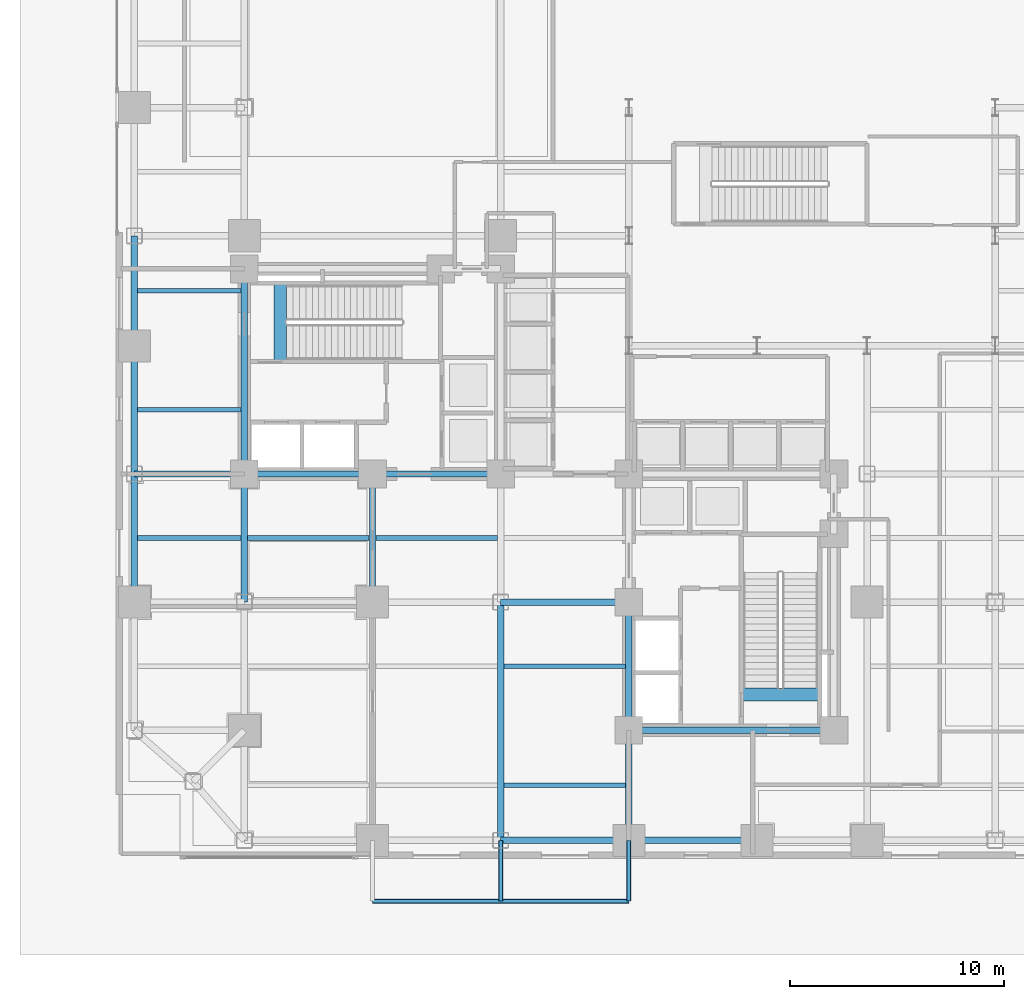
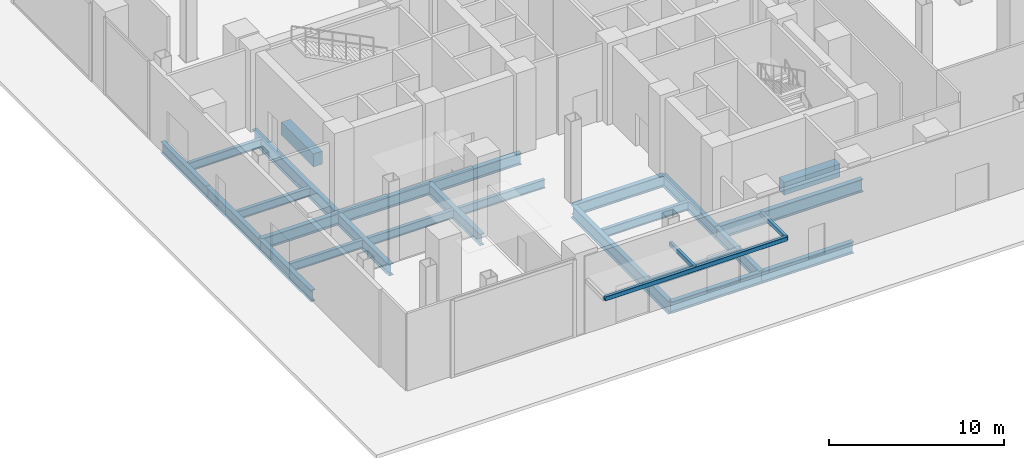
# One storey, part 4 of 27: 28 beams.
"""IFC4 building model written with IfcOpenShell, lengths in metres."""

from ifc_helpers import new_model, si_unit, direction, frame, origin, origin_2d, place, context, subcontext, project, spatial, rectangle, hollow_rectangle, i_section, extrude, material, material_profile, profile_set, type_object, element, save


model = new_model("IFC4")

# Units and contexts
model_context = context("Model", 3, precision=1e-05, world=origin(), true_north=direction((0.0, 1.0)))
body_context = subcontext(model_context, "Body", "Model", "MODEL_VIEW")
ifc_project = project(units=[si_unit("LENGTHUNIT", "METRE"), si_unit("AREAUNIT", "SQUARE_METRE"), si_unit("VOLUMEUNIT", "CUBIC_METRE"), si_unit("PLANEANGLEUNIT", "RADIAN"), si_unit("MASSUNIT", "GRAM", prefix="KILO"), si_unit("THERMODYNAMICTEMPERATUREUNIT", "KELVIN"), si_unit("POWERUNIT", "WATT")], contexts=[model_context])

# Site, building, storey
site_placement = place(None, origin())
site = spatial("IfcSite", under=ifc_project, at=site_placement, CompositionType="ELEMENT")
building_placement = place(site_placement, origin())
building = spatial("IfcBuilding", under=site, at=building_placement, Name="Svarakhadi Broadcast Tower", CompositionType="ELEMENT")
storey_placement = place(building_placement, origin())
storey = spatial("IfcBuildingStorey", under=building, at=storey_placement, Name="L00", CompositionType="ELEMENT", Elevation=0.0)

# Beams
ifc_material_1 = material(Name="Steel S355J2 (IS 2062 E350C)", Category="steel")
ifc_material_profile_1 = material_profile(ifc_material_1, i_section(OverallWidth=0.219970703125, OverallDepth=0.60009765625, WebThickness=0.011962890625, FlangeThickness=0.01904296875, FilletRadius=0.02392578125, at=origin_2d()), Name="NPB 600x220x122")
ifc_profile_set_1 = profile_set([ifc_material_profile_1], Name="Steel S355J2 (IS 2062 E350C)")
beam_type_1 = type_object("IfcBeamType", Name="Beam_NPB600", PredefinedType="BEAM", material=ifc_profile_set_1)
for number, where, z_axis, x_axis, name in (
    (1, (1.010009765625, 15.0, -0.64990234375), (1.0, 0.0, 0.0), (0.0, 1.0, 0.0), "L00 Secondary Composite Beam SB002"),
    (2, (1.010009765625, 21.0, -0.64990234375), (1.0, 0.0, 0.0), (0.0, 1.0, 0.0), "L00 Secondary Composite Beam SB003"),
    (3, (1.010009765625, 26.574951171875, -0.64990234375), (1.0, 0.0, 0.0), (0.0, 1.0, 0.0), "L00 Secondary Composite Beam SB004"),
):
    element("IfcBeam", number, at=place(storey_placement, frame(where, z_axis=z_axis, x_axis=x_axis)), inside=storey, type_object=beam_type_1, Name=name, PredefinedType="BEAM", context=body_context, shape_type="SweptSolid", body=[
        extrude(i_section(OverallWidth=0.219970703125, OverallDepth=0.60009765625, WebThickness=0.011962890625, FlangeThickness=0.01904296875, FilletRadius=0.02392578125, at=origin_2d()), origin(), (0.0, 0.0, 1.0), 4.830078125),
    ])
for number, where, z_axis, x_axis, name in (
    (4, (6.159912109375, 15.0, -0.64990234375), (1.0, 0.0, 0.0), (0.0, 1.0, 0.0), "L00 Secondary Composite Beam SB009"),
    (5, (12.159912109375, 15.0, -0.64990234375), (1.0, 0.0, 0.0), (0.0, 1.0, 0.0), "L00 Secondary Composite Beam SB012"),
    (6, (18.159912109375, 3.425048828125, -0.64990234375), (1.0, 0.0, 0.0), (0.0, 1.0, 0.0), "L00 Secondary Composite Beam SB013"),
    (7, (18.159912109375, 9.0, -0.64990234375), (1.0, 0.0, 0.0), (0.0, 1.0, 0.0), "L00 Secondary Composite Beam SB014"),
):
    element("IfcBeam", number, at=place(storey_placement, frame(where, z_axis=z_axis, x_axis=x_axis)), inside=storey, type_object=beam_type_1, Name=name, PredefinedType="BEAM", context=body_context, shape_type="SweptSolid", body=[
        extrude(i_section(OverallWidth=0.219970703125, OverallDepth=0.60009765625, WebThickness=0.011962890625, FlangeThickness=0.01904296875, FilletRadius=0.02392578125, at=origin_2d()), origin(), (0.0, 0.0, 1.0), 5.68017578125),
    ])
ifc_material_2 = material(Name="Concrete C50/60 (IS 456 M60)", Category="concrete")
ifc_material_profile_2 = material_profile(ifc_material_2, rectangle(XDim=0.60009765625, YDim=0.89990234375, at=origin_2d()), Name="RC 600x900")
ifc_profile_set_2 = profile_set([ifc_material_profile_2], Name="Concrete C50/60 (IS 456 M60)")
beam_type_2 = type_object("IfcBeamType", Name="Coupling_RC600", PredefinedType="USERDEFINED", material=ifc_profile_set_2)
for number, where, z_axis, x_axis, name in (
    (8, (7.679931640625, 23.260009765625, -0.449951171875), (0.0, 1.0, 0.0), (-1.0, 0.0, 0.0), "L00 Stair ST-01 Landing Throat Trimmer Beam CB-01"),
    (9, (29.260009765625, 7.679931640625, -0.449951171875), (1.0, 0.0, 0.0), (0.0, 1.0, 0.0), "L00 Stair ST-02 Landing Throat Trimmer Beam CB-01"),
):
    element("IfcBeam", number, at=place(storey_placement, frame(where, z_axis=z_axis, x_axis=x_axis)), inside=storey, type_object=beam_type_2, Name=name, ObjectType="GIRDER", PredefinedType="USERDEFINED", context=body_context, shape_type="SweptSolid", body=[
        extrude(rectangle(XDim=0.60009765625, YDim=0.89990234375, at=origin_2d()), origin(), (0.0, 0.0, 1.0), 3.679931640625),
    ])
ifc_material_profile_3 = material_profile(ifc_material_1, i_section(OverallWidth=0.300048828125, OverallDepth=0.800048828125, WebThickness=0.017578125, FlangeThickness=0.032958984375, FilletRadius=0.030029296875, at=origin_2d()), Name="WPB 800x300x262")
ifc_profile_set_3 = profile_set([ifc_material_profile_3], Name="Steel S355J2 (IS 2062 E350C)")
beam_type_3 = type_object("IfcBeamType", Name="Girder_WPB800", PredefinedType="USERDEFINED", material=ifc_profile_set_3)
for number, where, z_axis, x_axis, name in (
    (10, (18.0, 0.85009765625, -0.75), (1.0, 0.0, 0.0), (0.0, 1.0, 0.0), "L00 Primary E-W Girder G006"),
    (11, (24.0, 0.85009765625, -0.75), (1.0, 0.0, 0.0), (0.0, 1.0, 0.0), "L00 Primary E-W Girder G007"),
    (12, (18.0, 12.0, -0.75), (1.0, 0.0, 0.0), (0.0, 1.0, 0.0), "L00 Primary E-W Girder G017"),
):
    element("IfcBeam", number, at=place(storey_placement, frame(where, z_axis=z_axis, x_axis=x_axis)), inside=storey, type_object=beam_type_3, Name=name, ObjectType="GIRDER", PredefinedType="USERDEFINED", context=body_context, shape_type="SweptSolid", body=[
        extrude(i_section(OverallWidth=0.300048828125, OverallDepth=0.800048828125, WebThickness=0.017578125, FlangeThickness=0.032958984375, FilletRadius=0.030029296875, at=origin_2d()), origin(), (0.0, 0.0, 1.0), 6.0),
    ])
beam_1_placement = place(storey_placement, frame((0.85009765625, 18.0, -0.75), z_axis=(1.0, 0.0, 0.0), x_axis=(0.0, 1.0, 0.0)))
element("IfcBeam", 13, at=beam_1_placement, inside=storey, type_object=beam_type_3, Name="L00 Primary E-W Girder G020", ObjectType="GIRDER", PredefinedType="USERDEFINED", context=body_context, shape_type="SweptSolid", body=[
    extrude(i_section(OverallWidth=0.300048828125, OverallDepth=0.800048828125, WebThickness=0.017578125, FlangeThickness=0.032958984375, FilletRadius=0.030029296875, at=origin_2d()), origin(), (0.0, 0.0, 1.0), 5.14990234375),
])
for number, where, z_axis, x_axis, name in (
    (14, (6.0, 18.0, -0.75), (1.0, 0.0, 0.0), (0.0, 1.0, 0.0), "L00 Primary E-W Girder G021"),
    (15, (12.0, 18.0, -0.75), (1.0, 0.0, 0.0), (0.0, 1.0, 0.0), "L00 Primary E-W Girder G022"),
    (16, (0.85009765625, 12.0, -0.75), (0.0, 1.0, 0.0), (-1.0, 0.0, 0.0), "L00 Primary N-S Girder G045"),
    (17, (0.85009765625, 18.0, -0.75), (0.0, 1.0, 0.0), (-1.0, 0.0, 0.0), "L00 Primary N-S Girder G046"),
):
    element("IfcBeam", number, at=place(storey_placement, frame(where, z_axis=z_axis, x_axis=x_axis)), inside=storey, type_object=beam_type_3, Name=name, ObjectType="GIRDER", PredefinedType="USERDEFINED", context=body_context, shape_type="SweptSolid", body=[
        extrude(i_section(OverallWidth=0.300048828125, OverallDepth=0.800048828125, WebThickness=0.017578125, FlangeThickness=0.032958984375, FilletRadius=0.030029296875, at=origin_2d()), origin(), (0.0, 0.0, 1.0), 6.0),
    ])
beam_2_placement = place(storey_placement, frame((0.85009765625, 24.0, -0.75), z_axis=(0.0, 1.0, 0.0), x_axis=(-1.0, 0.0, 0.0)))
element("IfcBeam", 18, at=beam_2_placement, inside=storey, type_object=beam_type_3, Name="L00 Primary N-S Girder G047", ObjectType="GIRDER", PredefinedType="USERDEFINED", context=body_context, shape_type="SweptSolid", body=[
    extrude(i_section(OverallWidth=0.300048828125, OverallDepth=0.800048828125, WebThickness=0.017578125, FlangeThickness=0.032958984375, FilletRadius=0.030029296875, at=origin_2d()), origin(), (0.0, 0.0, 1.0), 5.14990234375),
])
for number, where, z_axis, x_axis, name in (
    (19, (6.0, 12.0, -0.75), (0.0, 1.0, 0.0), (-1.0, 0.0, 0.0), "L00 Primary N-S Girder G052"),
    (20, (12.0, 12.0, -0.75), (0.0, 1.0, 0.0), (-1.0, 0.0, 0.0), "L00 Primary N-S Girder G058"),
):
    element("IfcBeam", number, at=place(storey_placement, frame(where, z_axis=z_axis, x_axis=x_axis)), inside=storey, type_object=beam_type_3, Name=name, ObjectType="GIRDER", PredefinedType="USERDEFINED", context=body_context, shape_type="SweptSolid", body=[
        extrude(i_section(OverallWidth=0.300048828125, OverallDepth=0.800048828125, WebThickness=0.017578125, FlangeThickness=0.032958984375, FilletRadius=0.030029296875, at=origin_2d()), origin(), (0.0, 0.0, 1.0), 6.0),
    ])
beam_3_placement = place(storey_placement, frame((24.0, 0.85009765625, -0.75), z_axis=(0.0, 1.0, 0.0), x_axis=(-1.0, 0.0, 0.0)))
element("IfcBeam", 21, at=beam_3_placement, inside=storey, type_object=beam_type_3, Name="L00 Primary N-S Girder G064", ObjectType="GIRDER", PredefinedType="USERDEFINED", context=body_context, shape_type="SweptSolid", body=[
    extrude(i_section(OverallWidth=0.300048828125, OverallDepth=0.800048828125, WebThickness=0.017578125, FlangeThickness=0.032958984375, FilletRadius=0.030029296875, at=origin_2d()), origin(), (0.0, 0.0, 1.0), 5.14990234375),
])
beam_4_placement = place(storey_placement, frame((24.0, 6.0, -0.75), z_axis=(0.0, 1.0, 0.0), x_axis=(-1.0, 0.0, 0.0)))
element("IfcBeam", 22, at=beam_4_placement, inside=storey, type_object=beam_type_3, Name="L00 Primary N-S Girder G065", ObjectType="GIRDER", PredefinedType="USERDEFINED", context=body_context, shape_type="SweptSolid", body=[
    extrude(i_section(OverallWidth=0.300048828125, OverallDepth=0.800048828125, WebThickness=0.017578125, FlangeThickness=0.032958984375, FilletRadius=0.030029296875, at=origin_2d()), origin(), (0.0, 0.0, 1.0), 6.0),
])
ifc_material_3 = material(Name="Steel S460ML (IS 2062 E450BR)", Category="steel")
ifc_material_profile_4 = material_profile(ifc_material_3, i_section(OverallWidth=0.300048828125, OverallDepth=0.89990234375, WebThickness=0.0185546875, FlangeThickness=0.034912109375, FilletRadius=0.030029296875, at=origin_2d()), Name="WPB 900x300x291")
ifc_profile_set_4 = profile_set([ifc_material_profile_4], Name="Steel S460ML (IS 2062 E450BR)")
beam_type_4 = type_object("IfcBeamType", Name="Girder_WPB900", PredefinedType="USERDEFINED", material=ifc_profile_set_4)
for number, where, z_axis, x_axis, name in (
    (23, (24.0, 6.0, -0.800048828125), (1.0, 0.0, 0.0), (0.0, 1.0, 0.0), "L00 Primary E-W Girder G013"),
    (24, (6.0, 18.0, -0.800048828125), (0.0, 1.0, 0.0), (-1.0, 0.0, 0.0), "L00 Primary N-S Girder G053"),
):
    element("IfcBeam", number, at=place(storey_placement, frame(where, z_axis=z_axis, x_axis=x_axis)), inside=storey, type_object=beam_type_4, Name=name, ObjectType="GIRDER", PredefinedType="USERDEFINED", context=body_context, shape_type="SweptSolid", body=[
        extrude(i_section(OverallWidth=0.300048828125, OverallDepth=0.89990234375, WebThickness=0.0185546875, FlangeThickness=0.034912109375, FilletRadius=0.030029296875, at=origin_2d()), origin(), (0.0, 0.0, 1.0), 9.60009765625),
    ])
beam_5_placement = place(storey_placement, frame((18.0, 0.85009765625, -0.800048828125), z_axis=(0.0, 1.0, 0.0), x_axis=(-1.0, 0.0, 0.0)))
element("IfcBeam", 25, at=beam_5_placement, inside=storey, type_object=beam_type_4, Name="L00 Primary N-S Girder G059", ObjectType="GIRDER", PredefinedType="USERDEFINED", context=body_context, shape_type="SweptSolid", body=[
    extrude(i_section(OverallWidth=0.300048828125, OverallDepth=0.89990234375, WebThickness=0.0185546875, FlangeThickness=0.034912109375, FilletRadius=0.030029296875, at=origin_2d()), origin(), (0.0, 0.0, 1.0), 11.14990234375),
])
ifc_material_profile_5 = material_profile(ifc_material_3, hollow_rectangle(XDim=0.199951171875, YDim=0.300048828125, WallThickness=0.012451171875, InnerFilletRadius=0.012451171875, OuterFilletRadius=0.02490234375, at=origin_2d()), Name="RHS 300x200x12.5")
ifc_profile_set_5 = profile_set([ifc_material_profile_5], Name="Steel S460ML (IS 2062 E450BR)")
beam_type_5 = type_object("IfcBeamType", Name="Spandrel_RHS300", PredefinedType="SPANDREL", material=ifc_profile_set_5)
for number, where, z_axis, x_axis, name in (
    (26, (18.0, 0.85009765625, 3.64990234375), (0.0, -1.0, 0.0), (1.0, 0.0, 0.0), "L00 Entrance Canopy Cantilever Bracket Beam 2"),
    (27, (24.0, 0.85009765625, 3.64990234375), (0.0, -1.0, 0.0), (1.0, 0.0, 0.0), "L00 Entrance Canopy Cantilever Bracket Beam 3"),
):
    element("IfcBeam", number, at=place(storey_placement, frame(where, z_axis=z_axis, x_axis=x_axis)), inside=storey, type_object=beam_type_5, Name=name, PredefinedType="SPANDREL", context=body_context, shape_type="SweptSolid", body=[
        extrude(hollow_rectangle(XDim=0.199951171875, YDim=0.300048828125, WallThickness=0.012451171875, InnerFilletRadius=0.012451171875, OuterFilletRadius=0.02490234375, at=origin_2d()), origin(), (0.0, 0.0, 1.0), 2.85009765625),
    ])
beam_6_placement = place(storey_placement, frame((12.0, -2.0, 3.64990234375), z_axis=(1.0, 0.0, 0.0), x_axis=(0.0, 1.0, 0.0)))
element("IfcBeam", 28, at=beam_6_placement, inside=storey, type_object=beam_type_5, Name="L00 Entrance Canopy Outer Edge Spandrel Beam", PredefinedType="SPANDREL", context=body_context, shape_type="SweptSolid", body=[
    extrude(hollow_rectangle(XDim=0.199951171875, YDim=0.300048828125, WallThickness=0.012451171875, InnerFilletRadius=0.012451171875, OuterFilletRadius=0.02490234375, at=origin_2d()), origin(), (0.0, 0.0, 1.0), 12.0),
])

save(model, "model.ifc")
